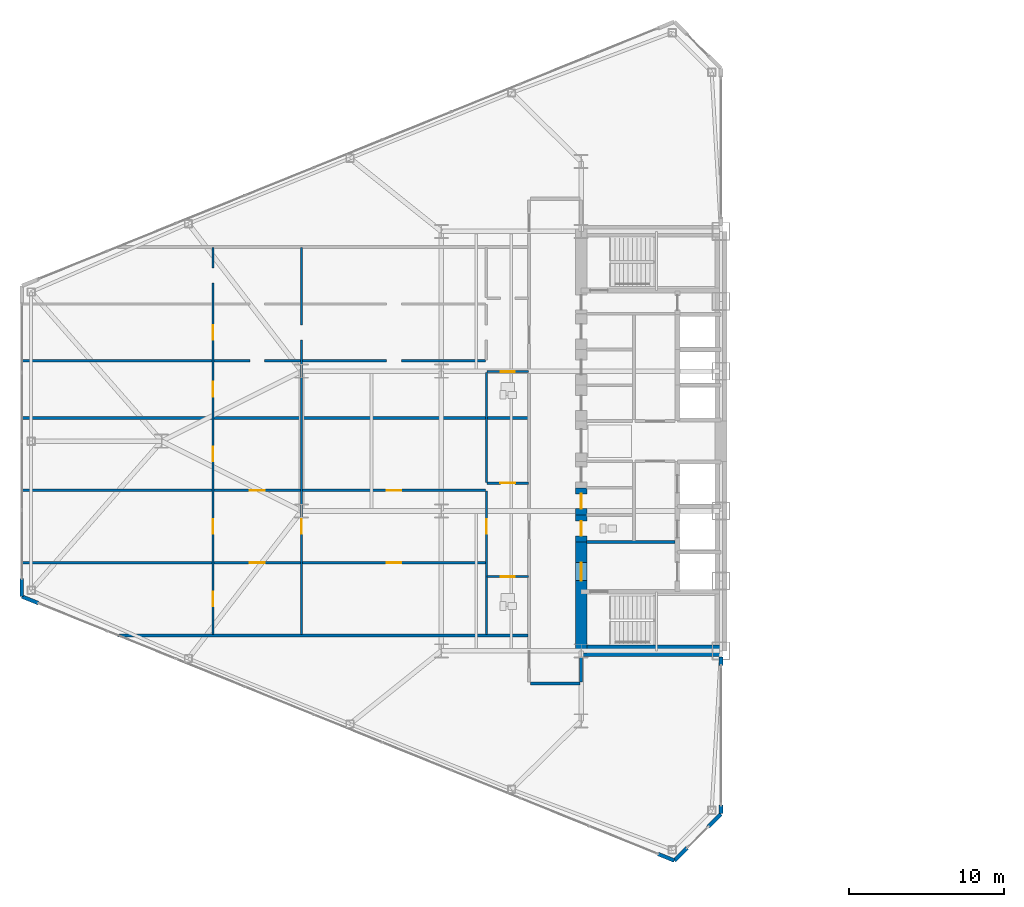
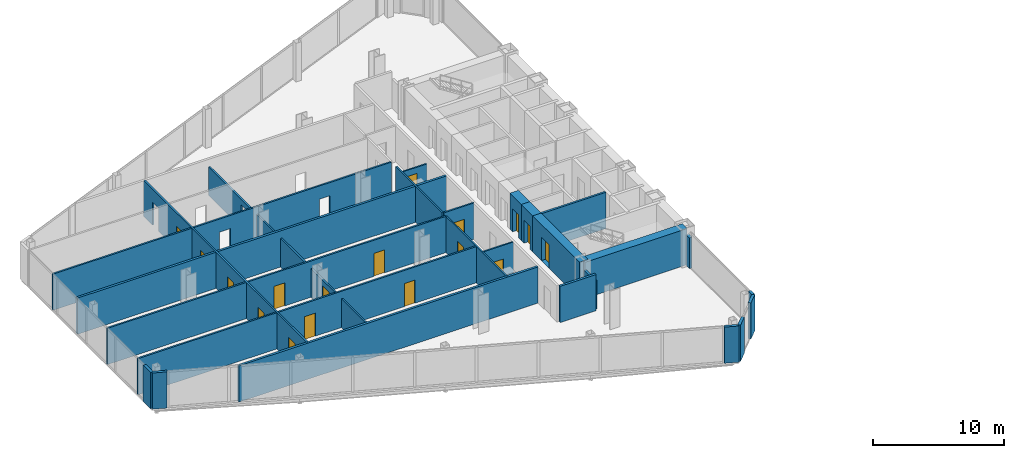
# One storey, part 17 of 25: 26 walls, 17 doors, 21 openings.
"""IFC4 building model written with IfcOpenShell, lengths in metres."""

import ifcopenshell
import ifcopenshell.guid

model = None  # the IFC model being written
_history = None  # IfcOwnerHistory: only IFC2X3 demands one
_inside = {}  # id of a spatial element -> (the spatial element, [elements in it])
_under = {}  # id of a project, library or spatial element -> (it, [spatial elements below it])
_declared = {}  # id of a project -> (the project, [libraries it declares])
_typed = {}  # id of a type object -> (the type object, [elements of that type])
_made_of = {}  # id of a material, layer set ... -> (it, [elements and type objects made of it])


def new_model(schema):
    """Start an empty IFC model of exactly this schema.

    Asked for "IFC4X3", IfcOpenShell would pick the latest addendum, in which some entities
    have other attributes; the version numbers below select the first issue.
    IFC2X3 requires an IfcOwnerHistory on every rooted entity: one is made here for all.
    """
    global model, _history
    if schema == "IFC4X3":
        model = ifcopenshell.file(schema_version=(4, 3, 0, 0))
    else:
        model = ifcopenshell.file(schema=schema)
    _inside.clear()
    _under.clear()
    _declared.clear()
    _typed.clear()
    _made_of.clear()
    _history = None
    if model.schema == "IFC2X3":
        org = make("IfcOrganization", Name="unknown")
        user = make(
            "IfcPersonAndOrganization",
            ThePerson=make("IfcPerson", FamilyName="unknown"),
            TheOrganization=org,
        )
        app = make(
            "IfcApplication",
            ApplicationDeveloper=org,
            Version="unknown",
            ApplicationFullName="unknown",
            ApplicationIdentifier="unknown",
        )
        _history = make(
            "IfcOwnerHistory",
            OwningUser=user,
            OwningApplication=app,
            ChangeAction="ADDED",
            CreationDate=0,
        )
    return model


def make(cls, **values):
    """One entity of the class cls with the attributes given. An attribute that is None is left unset."""
    return model.create_entity(
        cls, **{name: value for name, value in values.items() if value is not None}
    )


def rooted(cls, **values):
    """An entity with a GlobalId (a new one), such as an element, a storey or a relation."""
    return make(cls, GlobalId=ifcopenshell.guid.new(), OwnerHistory=_history, **values)


def si_unit(unit_type, name, prefix=None):
    """IfcSIUnit, for example si_unit("LENGTHUNIT", "METRE", prefix="MILLI")."""
    return make("IfcSIUnit", UnitType=unit_type, Prefix=prefix, Name=name)


def assignment(units):
    """IfcUnitAssignment: the units of a project."""
    return None if units is None else make("IfcUnitAssignment", Units=units)


def point(xyz):
    """IfcCartesianPoint."""
    return None if xyz is None else make("IfcCartesianPoint", Coordinates=xyz)


def direction(xyz):
    """IfcDirection."""
    return None if xyz is None else make("IfcDirection", DirectionRatios=xyz)


def frame(location, z_axis=None, x_axis=None):
    """IfcAxis2Placement3D, a coordinate frame: its origin and axes. An axis left out is left unset."""
    return make(
        "IfcAxis2Placement3D",
        Location=point(location),
        Axis=direction(z_axis),
        RefDirection=direction(x_axis),
    )


def frame_2d(location, x_axis=None):
    """IfcAxis2Placement2D, a coordinate frame in the plane: its origin and x axis."""
    return make(
        "IfcAxis2Placement2D", Location=point(location), RefDirection=direction(x_axis)
    )


def origin():
    """The frame at (0, 0, 0) with its axes left unset."""
    return frame((0.0, 0.0, 0.0))


def place(relative_to, where):
    """IfcLocalPlacement: puts the frame where relative to a parent placement (None: the world)."""
    return make(
        "IfcLocalPlacement", PlacementRelTo=relative_to, RelativePlacement=where
    )


def context(
    kind, dimensions, precision=None, world=None, true_north=None, identifier=None
):
    """IfcGeometricRepresentationContext, for example the 3D "Model" context."""
    return make(
        "IfcGeometricRepresentationContext",
        ContextIdentifier=identifier,
        ContextType=kind,
        CoordinateSpaceDimension=dimensions,
        Precision=precision,
        WorldCoordinateSystem=world,
        TrueNorth=true_north,
    )


def subcontext(parent, identifier, kind, view, scale=None):
    """IfcGeometricRepresentationSubContext, for example "Body" below "Model"."""
    return make(
        "IfcGeometricRepresentationSubContext",
        ContextIdentifier=identifier,
        ContextType=kind,
        ParentContext=parent,
        TargetScale=scale,
        TargetView=view,
    )


def project(units=None, contexts=None):
    """IfcProject with its units and contexts."""
    return rooted(
        "IfcProject",
        Name="project",
        RepresentationContexts=contexts,
        UnitsInContext=assignment(units),
    )


def spatial(cls, under=None, at=None, **own):
    """A site, building, storey or space (cls), placed at a placement, below another one or the project."""
    s = rooted(cls, ObjectPlacement=at, **own)
    if under is not None:
        _under.setdefault(under.id(), (under, []))[1].append(s)
    return s


def profile(cls, at=None, kind="AREA", **sizes):
    """A parametric profile (cls). Its sizes go by their IFC names, for example OverallWidth=200.0."""
    return make(cls, ProfileType=kind, Position=at, **sizes)


def rectangle(**sizes):
    """IfcRectangleProfileDef."""
    return profile("IfcRectangleProfileDef", **sizes)


def extrude(swept, where, along, depth):
    """IfcExtrudedAreaSolid: the profile swept, set in the frame where, extruded along a direction by depth."""
    return make(
        "IfcExtrudedAreaSolid",
        SweptArea=swept,
        Position=where,
        ExtrudedDirection=direction(along),
        Depth=depth,
    )


def shape(context_of_items, identifier, shape_type, items):
    """IfcShapeRepresentation: the items that make up one representation, for example the "Body"."""
    return make(
        "IfcShapeRepresentation",
        ContextOfItems=context_of_items,
        RepresentationIdentifier=identifier,
        RepresentationType=shape_type,
        Items=items,
    )


def source(mapping_origin, context_of_items, identifier, shape_type, items):
    """IfcRepresentationMap: a shape defined once, which mapped items show again and again."""
    return make(
        "IfcRepresentationMap",
        MappingOrigin=mapping_origin,
        MappedRepresentation=shape(context_of_items, identifier, shape_type, items),
    )


def transform(
    local_origin,
    x_axis=None,
    y_axis=None,
    z_axis=None,
    scale=None,
    scale2=None,
    scale3=None,
    uniform=True,
):
    """IfcCartesianTransformationOperator3D, or its non-uniform kind. x_axis, y_axis, z_axis: its Axis1, 2, 3."""
    if uniform:
        return make(
            "IfcCartesianTransformationOperator3D",
            Axis1=direction(x_axis),
            Axis2=direction(y_axis),
            LocalOrigin=point(local_origin),
            Scale=scale,
            Axis3=direction(z_axis),
        )
    return make(
        "IfcCartesianTransformationOperator3DnonUniform",
        Axis1=direction(x_axis),
        Axis2=direction(y_axis),
        LocalOrigin=point(local_origin),
        Scale=scale,
        Axis3=direction(z_axis),
        Scale2=scale2,
        Scale3=scale3,
    )


def mapped(mapping_source, mapping_target):
    """IfcMappedItem: shows the shape of a source again, moved by a transform."""
    return make(
        "IfcMappedItem", MappingSource=mapping_source, MappingTarget=mapping_target
    )


def material(Name=None, Category=None):
    """IfcMaterial."""
    return make("IfcMaterial", Name=Name, Category=Category)


def layer(
    of_material, thickness, ventilated=None, Name=None, Category=None, Priority=None
):
    """IfcMaterialLayer: one layer of a wall or slab, of a material (None: an air gap)."""
    return make(
        "IfcMaterialLayer",
        Material=of_material,
        LayerThickness=thickness,
        IsVentilated=ventilated,
        Name=Name,
        Category=Category,
        Priority=Priority,
    )


def layer_set(layers, Name=None):
    """IfcMaterialLayerSet."""
    return make("IfcMaterialLayerSet", MaterialLayers=layers, LayerSetName=Name)


def made_of(thing, what):
    """Note that an element or type object is made of a material, layer set ...; save() writes the relation."""
    if what is not None:
        _made_of.setdefault(what.id(), (what, []))[1].append(thing)
    return thing


def type_object(cls, material=None, **own):
    """A type object (cls), such as IfcWallType, which elements share."""
    return made_of(rooted(cls, **own), material)


def type_shapes(of_type, sources):
    """Give a type object the sources (RepresentationMaps) that its elements show as mapped items."""
    of_type.RepresentationMaps = sources


def element(
    cls,
    number,
    at=None,
    inside=None,
    cuts=None,
    type_object=None,
    material=None,
    context=None,
    identifier="Body",
    shape_type=None,
    held_by="IfcProductDefinitionShape",
    body=None,
    shapes=None,
    **own,
):
    """One element of the class cls, such as IfcWall. Its Tag is "e" and its number.

    at: its placement. inside: the storey or other place that contains it. cuts: it is an
    opening in that element (IfcRelVoidsElement). A single representation is given by context,
    identifier, shape_type and body (its items); several are given by shapes. held_by: the class
    of the entity that holds the representations. save() writes the other relations.
    """
    e = rooted(cls, Tag="e%d" % number, ObjectPlacement=at, **own)
    if body is not None:
        shapes = [shape(context, identifier, shape_type, body)]
    if shapes is not None:
        e.Representation = make(held_by, Representations=shapes)
    if inside is not None:
        _inside.setdefault(inside.id(), (inside, []))[1].append(e)
    if cuts is not None:
        rooted(
            "IfcRelVoidsElement", RelatingBuildingElement=cuts, RelatedOpeningElement=e
        )
    if type_object is not None:
        _typed.setdefault(type_object.id(), (type_object, []))[1].append(e)
    return made_of(e, material)


def fill(opening, filler):
    """IfcRelFillsElement: the door or window that sits in an opening."""
    return rooted(
        "IfcRelFillsElement",
        RelatingOpeningElement=opening,
        RelatedBuildingElement=filler,
    )


def aggregate(whole, parts):
    """IfcRelAggregates: a whole, such as a stair, and the parts it consists of."""
    return rooted("IfcRelAggregates", RelatingObject=whole, RelatedObjects=parts)


def save(model, path):
    """Write the relations noted so far, then the file.

    IfcRelAggregates (storeys below a building ...), IfcRelContainedInSpatialStructure (elements
    in a storey), IfcRelDefinesByType, IfcRelAssociatesMaterial and IfcRelDeclares: one each for
    every whole, place, type object, material and project.
    """
    for whole, parts in _under.values():
        aggregate(whole, parts)
    for where, things in _inside.values():
        rooted(
            "IfcRelContainedInSpatialStructure",
            RelatedElements=things,
            RelatingStructure=where,
        )
    for kind, things in _typed.values():
        rooted("IfcRelDefinesByType", RelatedObjects=things, RelatingType=kind)
    for what, things in _made_of.values():
        rooted("IfcRelAssociatesMaterial", RelatedObjects=things, RelatingMaterial=what)
    for by, libraries in _declared.values():
        rooted("IfcRelDeclares", RelatingContext=by, RelatedDefinitions=libraries)
    model.write(path)


model = new_model("IFC4")

# Units and contexts
model_context = context("Model", 3, precision=1e-05, world=origin(), true_north=direction((0.0, 1.0)))
body_context = subcontext(model_context, "Body", "Model", "MODEL_VIEW")
ifc_project = project(units=[si_unit("LENGTHUNIT", "METRE"), si_unit("AREAUNIT", "SQUARE_METRE"), si_unit("VOLUMEUNIT", "CUBIC_METRE"), si_unit("PLANEANGLEUNIT", "RADIAN"), si_unit("MASSUNIT", "GRAM", prefix="KILO")], contexts=[model_context])

# Site, building, storey
site_placement = place(None, origin())
site = spatial("IfcSite", under=ifc_project, at=site_placement, CompositionType="ELEMENT")
building_placement = place(site_placement, origin())
building = spatial("IfcBuilding", under=site, at=building_placement, Name="Seokmaru Belvedere", CompositionType="ELEMENT")
storey_placement = place(building_placement, frame((0.0, 0.0, 54.89990234375)))
storey = spatial("IfcBuildingStorey", under=building, at=storey_placement, Name="L14", CompositionType="ELEMENT", Elevation=54.89990234375)

# Wall, openings, doors
ifc_material_1 = material(Name="Fire-Rated Gypsum Shaftwall")
ifc_layer_1 = layer(ifc_material_1, 0.14990234375)
ifc_layer_set_1 = layer_set([ifc_layer_1], Name="Fire-Rated Gypsum Shaftwall")
wall_type_1 = type_object("IfcWallType", Name="Apartment Fire-Acoustic Room Partition 150", PredefinedType="PARTITIONING", material=ifc_layer_set_1)
wall_1_placement = place(storey_placement, frame((-72.534912109375, -7.830078125, 0.0), z_axis=(0.0, 0.0, 1.0), x_axis=(1.0, 0.0, 0.0)))
wall_1 = element("IfcWall", 1, at=wall_1_placement, inside=storey, type_object=wall_type_1, Name="L14 Interior Partition 011", PredefinedType="PARTITIONING", context=body_context, shape_type="SweptSolid", body=[
    extrude(rectangle(XDim=29.885009765625, YDim=0.14990234375, at=frame_2d((14.9423828125, 0.0))), origin(), (0.0, 0.0, 1.0), 3.380126953125),
])
opening_1_placement = place(wall_1_placement, frame((23.510009765625, 0.0, 0.0)))
opening_1 = element("IfcOpeningElement", 2, at=opening_1_placement, cuts=wall_1, Name="Opening D05", PredefinedType="OPENING", context=body_context, shape_type="SweptSolid", body=[
    extrude(rectangle(XDim=0.949951171875, YDim=2.14990234375, at=frame_2d((0.47509765625, 1.074951171875))), frame((0.0, 0.0849609375, 0.0), z_axis=(0.0, -1.0, 0.0), x_axis=(1.0, 0.0, 0.0)), (0.0, 0.0, 1.0), 0.169921875),
])
opening_2_placement = place(wall_1_placement, frame((14.7099609375, 0.0, 0.0)))
opening_2 = element("IfcOpeningElement", 3, at=opening_2_placement, cuts=wall_1, Name="Opening D05", PredefinedType="OPENING", context=body_context, shape_type="SweptSolid", body=[
    extrude(rectangle(XDim=0.949951171875, YDim=2.14990234375, at=frame_2d((0.47509765625, 1.074951171875))), frame((0.0, 0.0849609375, 0.0), z_axis=(0.0, -1.0, 0.0), x_axis=(1.0, 0.0, 0.0)), (0.0, 0.0, 1.0), 0.169921875),
])
ifc_material_2 = material(Name="Engineered White Oak Timber", Category="wood")
door_type_1 = type_object("IfcDoorType", Name="Apartment Interior Fire-Rated Oak Door 950x2150", OperationType="NOTDEFINED", PredefinedType="DOOR", material=ifc_material_2)
shared_shape_1 = source(origin(), body_context, "Body", "SweptSolid", [
    extrude(rectangle(XDim=0.949951171875, YDim=2.14990234375, at=frame_2d((0.47509765625, 1.074951171875))), frame((0.0, 0.02490234375, 0.0), z_axis=(0.0, -1.0, 0.0), x_axis=(1.0, 0.0, 0.0)), (0.0, 0.0, 1.0), 0.050048828125),
])
type_shapes(door_type_1, [shared_shape_1])
door_1_placement = place(opening_1_placement, origin())
door_1 = element("IfcDoor", 4, at=door_1_placement, inside=storey, type_object=door_type_1, Name="L14 Interior Door 007", OperationType="SINGLE_SWING_RIGHT", OverallHeight=2.14990234375, OverallWidth=0.949951171875, PredefinedType="DOOR", context=body_context, shape_type="MappedRepresentation", body=[
    mapped(shared_shape_1, transform((0.0, 0.0, 0.0), scale=1.0)),
])
fill(opening_1, door_1)
door_2_placement = place(opening_2_placement, origin())
door_2 = element("IfcDoor", 5, at=door_2_placement, inside=storey, type_object=door_type_1, Name="L14 Interior Door 009", OperationType="SINGLE_SWING_LEFT", OverallHeight=2.14990234375, OverallWidth=0.949951171875, PredefinedType="DOOR", context=body_context, shape_type="MappedRepresentation", body=[
    mapped(shared_shape_1, transform((0.0, 0.0, 0.0), scale=1.0)),
])
fill(opening_2, door_2)

wall_2_placement = place(storey_placement, frame((-72.534912109375, -3.169921875, 0.0), z_axis=(0.0, 0.0, 1.0), x_axis=(1.0, 0.0, 0.0)))
wall_2 = element("IfcWall", 6, at=wall_2_placement, inside=storey, type_object=wall_type_1, Name="L14 Interior Partition 013", PredefinedType="PARTITIONING", context=body_context, shape_type="SweptSolid", body=[
    extrude(rectangle(XDim=29.885009765625, YDim=0.14990234375, at=frame_2d((14.9423828125, 0.0))), origin(), (0.0, 0.0, 1.0), 3.380126953125),
])
opening_3_placement = place(wall_2_placement, frame((23.510009765625, 0.0, 0.0)))
opening_3 = element("IfcOpeningElement", 7, at=opening_3_placement, cuts=wall_2, Name="Opening D05", PredefinedType="OPENING", context=body_context, shape_type="SweptSolid", body=[
    extrude(rectangle(XDim=0.949951171875, YDim=2.14990234375, at=frame_2d((0.47509765625, 1.074951171875))), frame((0.0, 0.0849609375, 0.0), z_axis=(0.0, -1.0, 0.0), x_axis=(1.0, 0.0, 0.0)), (0.0, 0.0, 1.0), 0.169921875),
])
opening_4_placement = place(wall_2_placement, frame((14.7099609375, 0.0, 0.0)))
opening_4 = element("IfcOpeningElement", 8, at=opening_4_placement, cuts=wall_2, Name="Opening D05", PredefinedType="OPENING", context=body_context, shape_type="SweptSolid", body=[
    extrude(rectangle(XDim=0.949951171875, YDim=2.14990234375, at=frame_2d((0.47509765625, 1.074951171875))), frame((0.0, 0.0849609375, 0.0), z_axis=(0.0, -1.0, 0.0), x_axis=(1.0, 0.0, 0.0)), (0.0, 0.0, 1.0), 0.169921875),
])
door_3_placement = place(opening_3_placement, origin())
door_3 = element("IfcDoor", 9, at=door_3_placement, inside=storey, type_object=door_type_1, Name="L14 Interior Door 008", OperationType="SINGLE_SWING_LEFT", OverallHeight=2.14990234375, OverallWidth=0.949951171875, PredefinedType="DOOR", context=body_context, shape_type="MappedRepresentation", body=[
    mapped(shared_shape_1, transform((0.0, 0.0, 0.0), scale=1.0)),
])
fill(opening_3, door_3)
door_4_placement = place(opening_4_placement, origin())
door_4 = element("IfcDoor", 10, at=door_4_placement, inside=storey, type_object=door_type_1, Name="L14 Interior Door 012", OperationType="SINGLE_SWING_LEFT", OverallHeight=2.14990234375, OverallWidth=0.949951171875, PredefinedType="DOOR", context=body_context, shape_type="MappedRepresentation", body=[
    mapped(shared_shape_1, transform((0.0, 0.0, 0.0), scale=1.0)),
])
fill(opening_4, door_4)

# Wall, opening, door
wall_3_placement = place(storey_placement, frame((-42.550048828125, -2.699951171875, 0.0), z_axis=(0.0, 0.0, 1.0), x_axis=(1.0, 0.0, 0.0)))
wall_3 = element("IfcWall", 11, at=wall_3_placement, inside=storey, type_object=wall_type_1, Name="L14 Interior Partition 014", PredefinedType="PARTITIONING", context=body_context, shape_type="SweptSolid", body=[
    extrude(rectangle(XDim=2.650146484375, YDim=0.14990234375, at=frame_2d((1.3251953125, 0.0))), origin(), (0.0, 0.0, 1.0), 3.380126953125),
])
opening_5_placement = place(wall_3_placement, frame((0.85009765625, 0.0, 0.0)))
opening_5 = element("IfcOpeningElement", 12, at=opening_5_placement, cuts=wall_3, Name="Opening D05", PredefinedType="OPENING", context=body_context, shape_type="SweptSolid", body=[
    extrude(rectangle(XDim=0.949951171875, YDim=2.14990234375, at=frame_2d((0.47509765625, 1.074951171875))), frame((0.0, 0.0849609375, 0.0), z_axis=(0.0, -1.0, 0.0), x_axis=(1.0, 0.0, 0.0)), (0.0, 0.0, 1.0), 0.169921875),
])
door_5_placement = place(opening_5_placement, origin())
door_5 = element("IfcDoor", 13, at=door_5_placement, inside=storey, type_object=door_type_1, Name="L14 Interior Door 004", OperationType="SINGLE_SWING_LEFT", OverallHeight=2.14990234375, OverallWidth=0.949951171875, PredefinedType="DOOR", context=body_context, shape_type="MappedRepresentation", body=[
    mapped(shared_shape_1, transform((0.0, 0.0, 0.0), scale=1.0)),
])
fill(opening_5, door_5)

# Wall, openings
wall_4_placement = place(storey_placement, frame((-72.534912109375, 5.169921875, 0.0), z_axis=(0.0, 0.0, 1.0), x_axis=(1.0, 0.0, 0.0)))
wall_4 = element("IfcWall", 14, at=wall_4_placement, inside=storey, type_object=wall_type_1, Name="L14 Interior Partition 021", PredefinedType="PARTITIONING", context=body_context, shape_type="SweptSolid", body=[
    extrude(rectangle(XDim=29.885009765625, YDim=0.14990234375, at=frame_2d((14.9423828125, 0.0))), origin(), (0.0, 0.0, 1.0), 3.380126953125),
])
opening_6_placement = place(wall_4_placement, frame((23.510009765625, 0.0, 0.0)))
element("IfcOpeningElement", 15, at=opening_6_placement, cuts=wall_4, Name="L14 Cased Opening 019", PredefinedType="OPENING", context=body_context, shape_type="SweptSolid", body=[
    extrude(rectangle(XDim=0.949951171875, YDim=2.14990234375, at=frame_2d((0.47509765625, 1.074951171875))), frame((0.0, 0.0849609375, 0.0), z_axis=(0.0, -1.0, 0.0), x_axis=(1.0, 0.0, 0.0)), (0.0, 0.0, 1.0), 0.169921875),
])
opening_7_placement = place(wall_4_placement, frame((14.7099609375, 0.0, 0.0)))
element("IfcOpeningElement", 16, at=opening_7_placement, cuts=wall_4, Name="L14 Cased Opening 021", PredefinedType="OPENING", context=body_context, shape_type="SweptSolid", body=[
    extrude(rectangle(XDim=0.949951171875, YDim=2.14990234375, at=frame_2d((0.47509765625, 1.074951171875))), frame((0.0, 0.0849609375, 0.0), z_axis=(0.0, -1.0, 0.0), x_axis=(1.0, 0.0, 0.0)), (0.0, 0.0, 1.0), 0.169921875),
])

# Wall, openings, doors
wall_5_placement = place(storey_placement, frame((-60.199951171875, -12.449951171875, 0.0), z_axis=(0.0, 0.0, 1.0), x_axis=(0.0, 1.0, 0.0)))
wall_5 = element("IfcWall", 17, at=wall_5_placement, inside=storey, type_object=wall_type_1, Name="L14 Interior Partition 034", PredefinedType="PARTITIONING", context=body_context, shape_type="SweptSolid", body=[
    extrude(rectangle(XDim=24.89990234375, YDim=0.14990234375, at=frame_2d((12.449951171875, 0.0))), origin(), (0.0, 0.0, 1.0), 3.380126953125),
])
opening_8_placement = place(wall_5_placement, frame((1.808349609375, 0.0, 0.0)))
opening_8 = element("IfcOpeningElement", 18, at=opening_8_placement, cuts=wall_5, Name="Opening D05", PredefinedType="OPENING", context=body_context, shape_type="SweptSolid", body=[
    extrude(rectangle(XDim=0.949951171875, YDim=2.14990234375, at=frame_2d((0.47509765625, 1.074951171875))), frame((0.0, 0.0849609375, 0.0), z_axis=(0.0, -1.0, 0.0), x_axis=(1.0, 0.0, 0.0)), (0.0, 0.0, 1.0), 0.169921875),
])
opening_9_placement = place(wall_5_placement, frame((6.47509765625, 0.0, 0.0)))
opening_9 = element("IfcOpeningElement", 19, at=opening_9_placement, cuts=wall_5, Name="Opening D05", PredefinedType="OPENING", context=body_context, shape_type="SweptSolid", body=[
    extrude(rectangle(XDim=0.949951171875, YDim=2.14990234375, at=frame_2d((0.47509765625, 1.074951171875))), frame((0.0, 0.0849609375, 0.0), z_axis=(0.0, -1.0, 0.0), x_axis=(1.0, 0.0, 0.0)), (0.0, 0.0, 1.0), 0.169921875),
])
opening_10_placement = place(wall_5_placement, frame((11.1416015625, 0.0, 0.0)))
opening_10 = element("IfcOpeningElement", 20, at=opening_10_placement, cuts=wall_5, Name="Opening D05", PredefinedType="OPENING", context=body_context, shape_type="SweptSolid", body=[
    extrude(rectangle(XDim=0.949951171875, YDim=2.14990234375, at=frame_2d((0.47509765625, 1.074951171875))), frame((0.0, 0.0849609375, 0.0), z_axis=(0.0, -1.0, 0.0), x_axis=(1.0, 0.0, 0.0)), (0.0, 0.0, 1.0), 0.169921875),
])
opening_11_placement = place(wall_5_placement, frame((15.308349609375, 0.0, 0.0)))
opening_11 = element("IfcOpeningElement", 21, at=opening_11_placement, cuts=wall_5, Name="Opening D05", PredefinedType="OPENING", context=body_context, shape_type="SweptSolid", body=[
    extrude(rectangle(XDim=0.949951171875, YDim=2.14990234375, at=frame_2d((0.47509765625, 1.074951171875))), frame((0.0, 0.0849609375, 0.0), z_axis=(0.0, -1.0, 0.0), x_axis=(1.0, 0.0, 0.0)), (0.0, 0.0, 1.0), 0.169921875),
])
opening_12_placement = place(wall_5_placement, frame((18.97509765625, 0.0, 0.0)))
opening_12 = element("IfcOpeningElement", 22, at=opening_12_placement, cuts=wall_5, Name="Opening D05", PredefinedType="OPENING", context=body_context, shape_type="SweptSolid", body=[
    extrude(rectangle(XDim=0.949951171875, YDim=2.14990234375, at=frame_2d((0.47509765625, 1.074951171875))), frame((0.0, 0.0849609375, 0.0), z_axis=(0.0, -1.0, 0.0), x_axis=(1.0, 0.0, 0.0)), (0.0, 0.0, 1.0), 0.169921875),
])
opening_13_placement = place(wall_5_placement, frame((22.6416015625, 0.0, 0.0)))
element("IfcOpeningElement", 23, at=opening_13_placement, cuts=wall_5, Name="L14 Cased Opening 025", PredefinedType="OPENING", context=body_context, shape_type="SweptSolid", body=[
    extrude(rectangle(XDim=0.949951171875, YDim=2.14990234375, at=frame_2d((0.47509765625, 1.074951171875))), frame((0.0, 0.0849609375, 0.0), z_axis=(0.0, -1.0, 0.0), x_axis=(1.0, 0.0, 0.0)), (0.0, 0.0, 1.0), 0.169921875),
])
door_6_placement = place(opening_8_placement, origin())
door_6 = element("IfcDoor", 24, at=door_6_placement, inside=storey, type_object=door_type_1, Name="L14 Interior Door 010", OperationType="SINGLE_SWING_RIGHT", OverallHeight=2.14990234375, OverallWidth=0.949951171875, PredefinedType="DOOR", context=body_context, shape_type="MappedRepresentation", body=[
    mapped(shared_shape_1, transform((0.0, 0.0, 0.0), scale=1.0)),
])
fill(opening_8, door_6)
door_7_placement = place(opening_9_placement, origin())
door_7 = element("IfcDoor", 25, at=door_7_placement, inside=storey, type_object=door_type_1, Name="L14 Interior Door 011", OperationType="SINGLE_SWING_RIGHT", OverallHeight=2.14990234375, OverallWidth=0.949951171875, PredefinedType="DOOR", context=body_context, shape_type="MappedRepresentation", body=[
    mapped(shared_shape_1, transform((0.0, 0.0, 0.0), scale=1.0)),
])
fill(opening_9, door_7)
door_8_placement = place(opening_10_placement, origin())
door_8 = element("IfcDoor", 26, at=door_8_placement, inside=storey, type_object=door_type_1, Name="L14 Interior Door 013", OperationType="SINGLE_SWING_RIGHT", OverallHeight=2.14990234375, OverallWidth=0.949951171875, PredefinedType="DOOR", context=body_context, shape_type="MappedRepresentation", body=[
    mapped(shared_shape_1, transform((0.0, 0.0, 0.0), scale=1.0)),
])
fill(opening_10, door_8)
door_9_placement = place(opening_11_placement, origin())
door_9 = element("IfcDoor", 27, at=door_9_placement, inside=storey, type_object=door_type_1, Name="L14 Interior Door 022", OperationType="SINGLE_SWING_RIGHT", OverallHeight=2.14990234375, OverallWidth=0.949951171875, PredefinedType="DOOR", context=body_context, shape_type="MappedRepresentation", body=[
    mapped(shared_shape_1, transform((0.0, 0.0, 0.0), scale=1.0)),
])
fill(opening_11, door_9)
door_10_placement = place(opening_12_placement, origin())
door_10 = element("IfcDoor", 28, at=door_10_placement, inside=storey, type_object=door_type_1, Name="L14 Interior Door 023", OperationType="SINGLE_SWING_RIGHT", OverallHeight=2.14990234375, OverallWidth=0.949951171875, PredefinedType="DOOR", context=body_context, shape_type="MappedRepresentation", body=[
    mapped(shared_shape_1, transform((0.0, 0.0, 0.0), scale=1.0)),
])
fill(opening_12, door_10)

# Wall, openings, door
wall_6_placement = place(storey_placement, frame((-54.5, -12.449951171875, 0.0), z_axis=(0.0, 0.0, 1.0), x_axis=(0.0, 1.0, 0.0)))
wall_6 = element("IfcWall", 29, at=wall_6_placement, inside=storey, type_object=wall_type_1, Name="L14 Interior Partition 035", PredefinedType="PARTITIONING", context=body_context, shape_type="SweptSolid", body=[
    extrude(rectangle(XDim=24.89990234375, YDim=0.14990234375, at=frame_2d((12.449951171875, 0.0))), origin(), (0.0, 0.0, 1.0), 2.68017578125),
])
opening_14_placement = place(wall_6_placement, frame((6.47509765625, 0.0, 0.0)))
opening_14 = element("IfcOpeningElement", 30, at=opening_14_placement, cuts=wall_6, Name="Opening D05", PredefinedType="OPENING", context=body_context, shape_type="SweptSolid", body=[
    extrude(rectangle(XDim=0.949951171875, YDim=2.14990234375, at=frame_2d((0.47509765625, 1.074951171875))), frame((0.0, 0.0849609375, 0.0), z_axis=(0.0, -1.0, 0.0), x_axis=(1.0, 0.0, 0.0)), (0.0, 0.0, 1.0), 0.169921875),
])
opening_15_placement = place(wall_6_placement, frame((18.97509765625, 0.0, 0.0)))
element("IfcOpeningElement", 31, at=opening_15_placement, cuts=wall_6, Name="L14 Cased Opening 018", PredefinedType="OPENING", context=body_context, shape_type="SweptSolid", body=[
    extrude(rectangle(XDim=0.949951171875, YDim=2.14990234375, at=frame_2d((0.47509765625, 1.074951171875))), frame((0.0, 0.0849609375, 0.0), z_axis=(0.0, -1.0, 0.0), x_axis=(1.0, 0.0, 0.0)), (0.0, 0.0, 1.0), 0.169921875),
])
door_11_placement = place(opening_14_placement, origin())
door_11 = element("IfcDoor", 32, at=door_11_placement, inside=storey, type_object=door_type_1, Name="L14 Interior Door 006", OperationType="SINGLE_SWING_LEFT", OverallHeight=2.14990234375, OverallWidth=0.949951171875, PredefinedType="DOOR", context=body_context, shape_type="MappedRepresentation", body=[
    mapped(shared_shape_1, transform((0.0, 0.0, 0.0), scale=1.0)),
])
fill(opening_14, door_11)

# Walls
ifc_layer_2 = layer(ifc_material_1, 0.179931640625)
ifc_layer_set_2 = layer_set([ifc_layer_2], Name="Fire-Rated Gypsum Shaftwall")
wall_type_2 = type_object("IfcWallType", Name="Core Service Fire Partition 180", PredefinedType="PARTITIONING", material=ifc_layer_set_2)
wall_7_placement = place(storey_placement, frame((-36.14990234375, -6.5, 0.0), z_axis=(0.0, 0.0, 1.0), x_axis=(1.0, 0.0, 0.0)))
element("IfcWall", 33, at=wall_7_placement, inside=storey, type_object=wall_type_2, Name="L14 West Firefighting Lobby Partition", PredefinedType="PARTITIONING", context=body_context, shape_type="SweptSolid", body=[
    extrude(rectangle(XDim=5.699951171875, YDim=0.179931640625, at=frame_2d((2.85009765625, 0.0))), origin(), (0.0, 0.0, 1.0), 3.380126953125),
])
ifc_layer_3 = layer(ifc_material_1, 0.199951171875)
ifc_layer_set_3 = layer_set([ifc_layer_3], Name="Fire-Rated Gypsum Shaftwall")
wall_type_3 = type_object("IfcWallType", Name="Inter-Tenancy Fire Compartment Partition 200", PredefinedType="PARTITIONING", material=ifc_layer_set_3)
wall_8_placement = place(storey_placement, frame((-39.764892578125, -15.60009765625, 0.0), z_axis=(0.0, 0.0, 1.0), x_axis=(1.0, 0.0, 0.0)))
element("IfcWall", 34, at=wall_8_placement, inside=storey, type_object=wall_type_3, Name="L14 Interior Partition 004", PredefinedType="PARTITIONING", context=body_context, shape_type="SweptSolid", body=[
    extrude(rectangle(XDim=3.179931640625, YDim=0.199951171875, at=frame_2d((1.58984375, 0.0))), origin(), (0.0, 0.0, 1.0), 3.380126953125),
])
wall_9_placement = place(storey_placement, frame((-66.3369140625, -12.5, 0.0), z_axis=(0.0, 0.0, 1.0), x_axis=(1.0, 0.0, 0.0)))
element("IfcWall", 35, at=wall_9_placement, inside=storey, type_object=wall_type_3, Name="L14 Interior Partition 006", PredefinedType="PARTITIONING", context=body_context, shape_type="SweptSolid", body=[
    extrude(rectangle(XDim=26.406982421875, YDim=0.199951171875, at=frame_2d((13.20361328125, 0.0))), origin(), (0.0, 0.0, 1.0), 3.380126953125),
])
wall_10_placement = place(storey_placement, frame((-72.5048828125, 1.5, 0.0), z_axis=(0.0, 0.0, 1.0), x_axis=(1.0, 0.0, 0.0)))
element("IfcWall", 36, at=wall_10_placement, inside=storey, type_object=wall_type_3, Name="L14 Interior Partition 017", PredefinedType="PARTITIONING", context=body_context, shape_type="SweptSolid", body=[
    extrude(rectangle(XDim=32.574951171875, YDim=0.199951171875, at=frame_2d((16.28759765625, 0.0))), origin(), (0.0, 0.0, 1.0), 3.380126953125),
])
wall_11_placement = place(storey_placement, frame((-36.5, -15.514892578125, 0.0), z_axis=(0.0, 0.0, 1.0), x_axis=(0.0, 1.0, 0.0)))
element("IfcWall", 37, at=wall_11_placement, inside=storey, type_object=wall_type_3, Name="L14 Interior Partition 041", PredefinedType="PARTITIONING", context=body_context, shape_type="SweptSolid", body=[
    extrude(rectangle(XDim=1.635009765625, YDim=0.199951171875, at=frame_2d((0.8173828125, 0.0))), origin(), (0.0, 0.0, 1.0), 2.68017578125),
])
ifc_material_3 = material(Name="Concrete C60 (60 MPa)", Category="concrete")
ifc_layer_4 = layer(ifc_material_3, 0.75)
ifc_layer_set_4 = layer_set([ifc_layer_4], Name="Concrete C60 (60 MPa)")
wall_type_4 = type_object("IfcWallType", Name="Lower Tower Reinforced Concrete Core Wall 750", PredefinedType="SHEAR", material=ifc_layer_set_4)
wall_12_placement = place(storey_placement, frame((-36.5, -13.5, 0.0), z_axis=(0.0, 0.0, 1.0), x_axis=(1.0, 0.0, 0.0)))
element("IfcWall", 38, at=wall_12_placement, inside=storey, type_object=wall_type_4, Name="L14 West South Core Wall", PredefinedType="SHEAR", context=body_context, shape_type="SweptSolid", body=[
    extrude(rectangle(XDim=9.0, YDim=0.75, at=frame_2d((4.5, 0.0))), origin(), (0.0, 0.0, 1.0), 3.380126953125),
])

# Wall, opening, door
wall_13_placement = place(storey_placement, frame((-36.5, -13.64990234375, 0.0), z_axis=(0.0, 0.0, 1.0), x_axis=(0.0, 1.0, 0.0)))
wall_13 = element("IfcWall", 39, at=wall_13_placement, inside=storey, type_object=wall_type_4, Name="L14 West West Core Wall FF", PredefinedType="SHEAR", context=body_context, shape_type="SweptSolid", body=[
    extrude(rectangle(XDim=7.14990234375, YDim=0.75, at=frame_2d((3.574951171875, 0.0))), origin(), (0.0, 0.0, 1.0), 3.380126953125),
])
opening_16_placement = place(wall_13_placement, frame((4.675048828125, 0.0, 0.0)))
opening_16 = element("IfcOpeningElement", 40, at=opening_16_placement, cuts=wall_13, Name="Opening D02", PredefinedType="OPENING", context=body_context, shape_type="SweptSolid", body=[
    extrude(rectangle(XDim=1.14990234375, YDim=2.199951171875, at=frame_2d((0.574951171875, 1.10009765625))), frame((0.0, 0.385009765625, 0.0), z_axis=(0.0, -1.0, 0.0), x_axis=(1.0, 0.0, 0.0)), (0.0, 0.0, 1.0), 0.77001953125),
])
ifc_material_4 = material(Name="Fire-Rated Steel Leaf", Category="steel")
door_type_2 = type_object("IfcDoorType", Name="Lobby and Vestibule Fire Door 1150x2200", OperationType="NOTDEFINED", PredefinedType="DOOR", material=ifc_material_4)
shared_shape_2 = source(origin(), body_context, "Body", "SweptSolid", [
    extrude(rectangle(XDim=1.14990234375, YDim=2.199951171875, at=frame_2d((0.574951171875, 1.10009765625))), frame((0.0, 0.02490234375, 0.0), z_axis=(0.0, -1.0, 0.0), x_axis=(1.0, 0.0, 0.0)), (0.0, 0.0, 1.0), 0.050048828125),
])
type_shapes(door_type_2, [shared_shape_2])
door_12_placement = place(opening_16_placement, frame((1.14990234375, 0.0, 0.0), z_axis=(0.0, 0.0, 1.0), x_axis=(-1.0, 0.0, 0.0)))
door_12 = element("IfcDoor", 41, at=door_12_placement, inside=storey, type_object=door_type_2, Name="L14 West Firefighting Lobby Door", OperationType="SINGLE_SWING_LEFT", OverallHeight=2.199951171875, OverallWidth=1.14990234375, PredefinedType="DOOR", context=body_context, shape_type="MappedRepresentation", body=[
    mapped(shared_shape_2, transform((0.0, 0.0, 0.0), scale=1.0)),
])
fill(opening_16, door_12)

wall_14_placement = place(storey_placement, frame((-36.5, -6.5, 0.0), z_axis=(0.0, 0.0, 1.0), x_axis=(0.0, 1.0, 0.0)))
wall_14 = element("IfcWall", 42, at=wall_14_placement, inside=storey, type_object=wall_type_4, Name="L14 West West Core Wall CS1", PredefinedType="SHEAR", context=body_context, shape_type="SweptSolid", body=[
    extrude(rectangle(XDim=1.75, YDim=0.75, at=frame_2d((0.875, 0.0))), origin(), (0.0, 0.0, 1.0), 3.380126953125),
])
opening_17_placement = place(wall_14_placement, frame((0.39990234375, 0.0, 0.0)))
opening_17 = element("IfcOpeningElement", 43, at=opening_17_placement, cuts=wall_14, Name="Opening D04", PredefinedType="OPENING", context=body_context, shape_type="SweptSolid", body=[
    extrude(rectangle(XDim=0.949951171875, YDim=2.14990234375, at=frame_2d((0.47509765625, 1.074951171875))), frame((0.0, 0.385009765625, 0.0), z_axis=(0.0, -1.0, 0.0), x_axis=(1.0, 0.0, 0.0)), (0.0, 0.0, 1.0), 0.77001953125),
])
door_type_3 = type_object("IfcDoorType", Name="Core Service Room Fire Door 950x2150", OperationType="NOTDEFINED", PredefinedType="DOOR", material=ifc_material_4)
shared_shape_3 = source(origin(), body_context, "Body", "SweptSolid", [
    extrude(rectangle(XDim=0.949951171875, YDim=2.14990234375, at=frame_2d((0.47509765625, 1.074951171875))), frame((0.0, 0.02490234375, 0.0), z_axis=(0.0, -1.0, 0.0), x_axis=(1.0, 0.0, 0.0)), (0.0, 0.0, 1.0), 0.050048828125),
])
type_shapes(door_type_3, [shared_shape_3])
door_13_placement = place(opening_17_placement, origin())
door_13 = element("IfcDoor", 44, at=door_13_placement, inside=storey, type_object=door_type_3, Name="L14 West Core Service Room Door 1", OperationType="SINGLE_SWING_LEFT", OverallHeight=2.14990234375, OverallWidth=0.949951171875, PredefinedType="DOOR", context=body_context, shape_type="MappedRepresentation", body=[
    mapped(shared_shape_3, transform((0.0, 0.0, 0.0), scale=1.0)),
])
fill(opening_17, door_13)

wall_15_placement = place(storey_placement, frame((-36.5, -4.75, 0.0), z_axis=(0.0, 0.0, 1.0), x_axis=(0.0, 1.0, 0.0)))
wall_15 = element("IfcWall", 45, at=wall_15_placement, inside=storey, type_object=wall_type_4, Name="L14 West West Core Wall CS2", PredefinedType="SHEAR", context=body_context, shape_type="SweptSolid", body=[
    extrude(rectangle(XDim=1.75, YDim=0.75, at=frame_2d((0.875, 0.0))), origin(), (0.0, 0.0, 1.0), 3.380126953125),
])
opening_18_placement = place(wall_15_placement, frame((0.39990234375, 0.0, 0.0)))
opening_18 = element("IfcOpeningElement", 46, at=opening_18_placement, cuts=wall_15, Name="Opening D04", PredefinedType="OPENING", context=body_context, shape_type="SweptSolid", body=[
    extrude(rectangle(XDim=0.949951171875, YDim=2.14990234375, at=frame_2d((0.47509765625, 1.074951171875))), frame((0.0, 0.385009765625, 0.0), z_axis=(0.0, -1.0, 0.0), x_axis=(1.0, 0.0, 0.0)), (0.0, 0.0, 1.0), 0.77001953125),
])
door_14_placement = place(opening_18_placement, origin())
door_14 = element("IfcDoor", 47, at=door_14_placement, inside=storey, type_object=door_type_3, Name="L14 West Core Service Room Door 2", OperationType="SINGLE_SWING_RIGHT", OverallHeight=2.14990234375, OverallWidth=0.949951171875, PredefinedType="DOOR", context=body_context, shape_type="MappedRepresentation", body=[
    mapped(shared_shape_3, transform((0.0, 0.0, 0.0), scale=1.0)),
])
fill(opening_18, door_14)

ifc_layer_5 = layer(ifc_material_1, 0.1298828125)
ifc_layer_set_5 = layer_set([ifc_layer_5], Name="Fire-Rated Gypsum Shaftwall")
wall_type_5 = type_object("IfcWallType", Name="Moisture-Resistant Fire-Rated Bathroom Partition 130", PredefinedType="PARTITIONING", material=ifc_layer_set_5)
wall_16_placement = place(storey_placement, frame((-42.550048828125, -8.719970703125, 0.0), z_axis=(0.0, 0.0, 1.0), x_axis=(1.0, 0.0, 0.0)))
wall_16 = element("IfcWall", 48, at=wall_16_placement, inside=storey, type_object=wall_type_5, Name="L14 Interior Partition 010", PredefinedType="PARTITIONING", context=body_context, shape_type="SweptSolid", body=[
    extrude(rectangle(XDim=2.650146484375, YDim=0.1298828125, at=frame_2d((1.3251953125, 0.0))), origin(), (0.0, 0.0, 1.0), 3.380126953125),
])
opening_19_placement = place(wall_16_placement, frame((0.885009765625, 0.0, 0.0)))
opening_19 = element("IfcOpeningElement", 49, at=opening_19_placement, cuts=wall_16, Name="Opening D06", PredefinedType="OPENING", context=body_context, shape_type="SweptSolid", body=[
    extrude(rectangle(XDim=0.8798828125, YDim=2.10009765625, at=frame_2d((0.43994140625, 1.050048828125))), frame((0.0, 0.074951171875, 0.0), z_axis=(0.0, -1.0, 0.0), x_axis=(1.0, 0.0, 0.0)), (0.0, 0.0, 1.0), 0.14990234375),
])
door_type_4 = type_object("IfcDoorType", Name="Bathroom and Restroom Fire-Rated Door 880x2100", OperationType="NOTDEFINED", PredefinedType="DOOR", material=ifc_material_2)
shared_shape_4 = source(origin(), body_context, "Body", "SweptSolid", [
    extrude(rectangle(XDim=0.8798828125, YDim=2.10009765625, at=frame_2d((0.43994140625, 1.050048828125))), frame((0.0, 0.02490234375, 0.0), z_axis=(0.0, -1.0, 0.0), x_axis=(1.0, 0.0, 0.0)), (0.0, 0.0, 1.0), 0.050048828125),
])
type_shapes(door_type_4, [shared_shape_4])
door_15_placement = place(opening_19_placement, origin())
door_15 = element("IfcDoor", 50, at=door_15_placement, inside=storey, type_object=door_type_4, Name="L14 Interior Door 003", OperationType="SINGLE_SWING_LEFT", OverallHeight=2.10009765625, OverallWidth=0.8798828125, PredefinedType="DOOR", context=body_context, shape_type="MappedRepresentation", body=[
    mapped(shared_shape_4, transform((0.0, 0.0, 0.0), scale=1.0)),
])
fill(opening_19, door_15)

wall_17_placement = place(storey_placement, frame((-42.550048828125, 4.469970703125, 0.0), z_axis=(0.0, 0.0, 1.0), x_axis=(1.0, 0.0, 0.0)))
wall_17 = element("IfcWall", 51, at=wall_17_placement, inside=storey, type_object=wall_type_5, Name="L14 Interior Partition 020", PredefinedType="PARTITIONING", context=body_context, shape_type="SweptSolid", body=[
    extrude(rectangle(XDim=2.650146484375, YDim=0.1298828125, at=frame_2d((1.3251953125, 0.0))), origin(), (0.0, 0.0, 1.0), 2.68017578125),
])
opening_20_placement = place(wall_17_placement, frame((0.885009765625, 0.0, 0.0)))
opening_20 = element("IfcOpeningElement", 52, at=opening_20_placement, cuts=wall_17, Name="Opening D06", PredefinedType="OPENING", context=body_context, shape_type="SweptSolid", body=[
    extrude(rectangle(XDim=0.8798828125, YDim=2.10009765625, at=frame_2d((0.43994140625, 1.050048828125))), frame((0.0, 0.074951171875, 0.0), z_axis=(0.0, -1.0, 0.0), x_axis=(1.0, 0.0, 0.0)), (0.0, 0.0, 1.0), 0.14990234375),
])
door_16_placement = place(opening_20_placement, origin())
door_16 = element("IfcDoor", 53, at=door_16_placement, inside=storey, type_object=door_type_4, Name="L14 Interior Door 015", OperationType="SINGLE_SWING_LEFT", OverallHeight=2.10009765625, OverallWidth=0.8798828125, PredefinedType="DOOR", context=body_context, shape_type="MappedRepresentation", body=[
    mapped(shared_shape_4, transform((0.0, 0.0, 0.0), scale=1.0)),
])
fill(opening_20, door_16)

wall_18_placement = place(storey_placement, frame((-42.60009765625, -12.449951171875, 0.0), z_axis=(0.0, 0.0, 1.0), x_axis=(0.0, 1.0, 0.0)))
wall_18 = element("IfcWall", 54, at=wall_18_placement, inside=storey, type_object=wall_type_5, Name="L14 Interior Partition 036", PredefinedType="PARTITIONING", context=body_context, shape_type="SweptSolid", body=[
    extrude(rectangle(XDim=9.23291015625, YDim=0.1298828125, at=frame_2d((4.616455078125, 0.0))), origin(), (0.0, 0.0, 1.0), 3.380126953125),
])
opening_21_placement = place(wall_18_placement, frame((6.47509765625, 0.0, 0.0)))
opening_21 = element("IfcOpeningElement", 55, at=opening_21_placement, cuts=wall_18, Name="Opening D05", PredefinedType="OPENING", context=body_context, shape_type="SweptSolid", body=[
    extrude(rectangle(XDim=0.949951171875, YDim=2.14990234375, at=frame_2d((0.47509765625, 1.074951171875))), frame((0.0, 0.074951171875, 0.0), z_axis=(0.0, -1.0, 0.0), x_axis=(1.0, 0.0, 0.0)), (0.0, 0.0, 1.0), 0.14990234375),
])
door_17_placement = place(opening_21_placement, origin())
door_17 = element("IfcDoor", 56, at=door_17_placement, inside=storey, type_object=door_type_1, Name="L14 Interior Door 005", OperationType="SINGLE_SWING_RIGHT", OverallHeight=2.14990234375, OverallWidth=0.949951171875, PredefinedType="DOOR", context=body_context, shape_type="MappedRepresentation", body=[
    mapped(shared_shape_1, transform((0.0, 0.0, 0.0), scale=1.0)),
])
fill(opening_21, door_17)

# Walls
wall_19_placement = place(storey_placement, frame((-42.60009765625, -2.64794921875, 0.0), z_axis=(0.0, 0.0, 1.0), x_axis=(0.0, 1.0, 0.0)))
element("IfcWall", 57, at=wall_19_placement, inside=storey, type_object=wall_type_5, Name="L14 Interior Partition 037", PredefinedType="PARTITIONING", context=body_context, shape_type="SweptSolid", body=[
    extrude(rectangle(XDim=7.06591796875, YDim=0.1298828125, at=frame_2d((3.532958984375, 0.0))), origin(), (0.0, 0.0, 1.0), 3.380126953125),
])
ifc_material_5 = material(Name="Anodised Bronze Aluminium", Category="aluminium")
ifc_layer_6 = layer(ifc_material_5, 0.239990234375)
ifc_layer_set_6 = layer_set([ifc_layer_6], Name="Anodised Bronze Aluminium")
wall_type_6 = type_object("IfcWallType", Name="Tower Corner Spandrel Closure Wall 240", PredefinedType="SOLIDWALL", material=ifc_layer_set_6)
wall_20_placement = place(storey_placement, frame((-27.5, -23.97998046875, 0.0), z_axis=(0.0, 0.0, 1.0), x_axis=(0.0, 1.0, 0.0)))
element("IfcWall", 58, at=wall_20_placement, inside=storey, type_object=wall_type_6, Name="L14 W Spine Closure Pier 1A", PredefinedType="SOLIDWALL", context=body_context, shape_type="SweptSolid", body=[
    extrude(rectangle(XDim=0.550048828125, YDim=0.239990234375, at=frame_2d((0.27490234375, 0.0))), origin(), (0.0, 0.0, 1.0), 3.380126953125),
])
wall_21_placement = place(storey_placement, frame((-27.5, -14.429931640625, 0.0), z_axis=(0.0, 0.0, 1.0), x_axis=(0.0, 1.0, 0.0)))
element("IfcWall", 59, at=wall_21_placement, inside=storey, type_object=wall_type_6, Name="L14 W Spine Closure Pier 1B", PredefinedType="SOLIDWALL", context=body_context, shape_type="SweptSolid", body=[
    extrude(rectangle(XDim=0.550048828125, YDim=0.239990234375, at=frame_2d((0.27490234375, 0.0))), origin(), (0.0, 0.0, 1.0), 2.880126953125),
])
for number, where, z_axis, x_axis, name in (
    (60, (-72.5, -8.85009765625, 0.0), (0.0, 0.0, 1.0), (0.0, -1.0, 0.0), "L14 W Corner Closure Pier 4B"),
    (61, (-72.49072265625, -10.00390625, 0.0), (0.0, 0.0, 1.0), (0.927007103665, -0.375043770452, 0.0), "L14 W Corner Closure Pier 5A"),
    (62, (-31.56591796875, -26.568603515625, 0.0), (0.0, 0.0, 1.0), (0.927007103665, -0.375043770452, 0.0), "L14 W Corner Closure Pier 5B"),
):
    element("IfcWall", number, at=place(storey_placement, frame(where, z_axis=z_axis, x_axis=x_axis)), inside=storey, type_object=wall_type_6, Name=name, PredefinedType="SOLIDWALL", context=body_context, shape_type="SweptSolid", body=[
        extrude(rectangle(XDim=1.139892578125, YDim=0.239990234375, at=frame_2d((0.56982421875, 0.0))), origin(), (0.0, 0.0, 1.0), 3.380126953125),
    ])
for number, where, z_axis, x_axis, name in (
    (63, (-30.492919921875, -26.992919921875, 0.0), (0.0, 0.0, 1.0), (0.707106781187, 0.707106781187, 0.0), "L14 W Corner Closure Pier 6A"),
    (64, (-28.313232421875, -24.813232421875, 0.0), (0.0, 0.0, 1.0), (0.707106781187, 0.707106781187, 0.0), "L14 W Corner Closure Pier 6B"),
):
    element("IfcWall", number, at=place(storey_placement, frame(where, z_axis=z_axis, x_axis=x_axis)), inside=storey, type_object=wall_type_6, Name=name, PredefinedType="SOLIDWALL", context=body_context, shape_type="SweptSolid", body=[
        extrude(rectangle(XDim=1.14013671875, YDim=0.239990234375, at=frame_2d((0.570068359375, 0.0))), origin(), (0.0, 0.0, 1.0), 3.380126953125),
    ])

save(model, "model.ifc")
